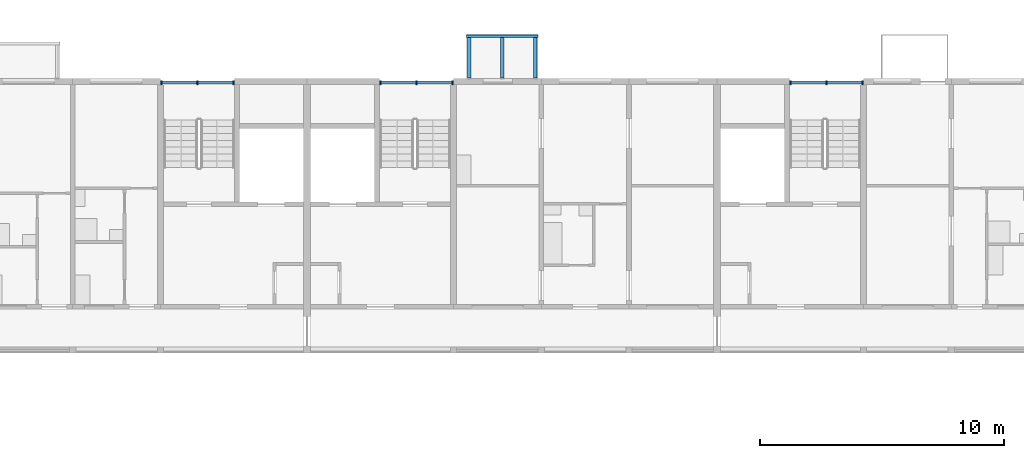
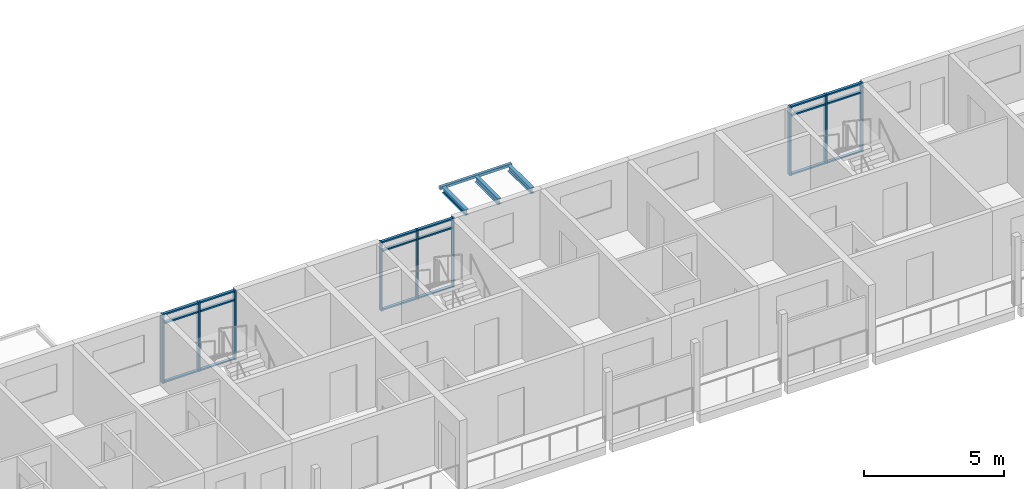
# One storey, part 10 of 99: 27 members, 4 beams, 3 elements without a shape of their own.
"""IFC4 building model written with IfcOpenShell, lengths in metres."""

from ifc_helpers import new_model, si_unit, direction, frame, origin, origin_2d, place, context, subcontext, project, spatial, rectangle, hollow_rectangle, i_section, extrude, material, material_profile, profile_set, type_object, element, aggregate, save


model = new_model("IFC4")

# Units and contexts
model_context = context("Model", 3, precision=1e-05, world=origin(), true_north=direction((0.0, 1.0)))
body_context = subcontext(model_context, "Body", "Model", "MODEL_VIEW")
ifc_project = project(units=[si_unit("LENGTHUNIT", "METRE"), si_unit("AREAUNIT", "SQUARE_METRE"), si_unit("VOLUMEUNIT", "CUBIC_METRE"), si_unit("PLANEANGLEUNIT", "RADIAN"), si_unit("MASSUNIT", "GRAM", prefix="KILO")], contexts=[model_context])

# Site, building, storey
site_placement = place(None, origin())
site = spatial("IfcSite", under=ifc_project, at=site_placement, CompositionType="ELEMENT")
building_placement = place(site_placement, origin())
building = spatial("IfcBuilding", under=site, at=building_placement, Name="Ridgestep Commons", CompositionType="ELEMENT")
storey_placement = place(building_placement, frame((0.0, 0.0, 15.0)))
storey = spatial("IfcBuildingStorey", under=building, at=storey_placement, Name="L05", CompositionType="ELEMENT", Elevation=15.0)

# Curtain wall, members
ifc_material_1 = material(Name="Aluminium 6063-T6 and glass", Category="aluminium")
curtain_wall_type = type_object("IfcCurtainWallType", Name="Curtain wall stair strip", PredefinedType="NOTDEFINED", material=ifc_material_1)
curtain_wall_1_placement = place(storey_placement, origin())
curtain_wall_1 = element("IfcCurtainWall", 1, at=curtain_wall_1_placement, inside=storey, type_object=curtain_wall_type, Name="Curtain wall B1C level 05", PredefinedType="NOTDEFINED")
ifc_material_2 = material(Name="Aluminium 6063-T6", Category="aluminium")
ifc_material_profile_1 = material_profile(ifc_material_2, rectangle(XDim=0.159912109375, YDim=0.06005859375, at=origin_2d()), Name="Mullion 60 x 160")
ifc_profile_set_1 = profile_set([ifc_material_profile_1], Name="Aluminium 6063-T6")
member_type_1 = type_object("IfcMemberType", Name="Mullion 60 x 160", PredefinedType="MULLION", material=ifc_profile_set_1)
member_1_placement = place(storey_placement, frame((22.830078125, 77.080078125, 0.0), z_axis=(0.0, 0.0, 1.0), x_axis=(0.0, 1.0, 0.0)))
member_1 = element("IfcMember", 2, at=member_1_placement, type_object=member_type_1, Name="CW1 mullion 1", PredefinedType="MULLION", context=body_context, shape_type="SweptSolid", body=[
    extrude(rectangle(XDim=0.159912109375, YDim=0.06005859375, at=origin_2d()), origin(), (0.0, 0.0, 1.0), 3.0),
])
member_2_placement = place(storey_placement, frame((24.3125, 77.080078125, 0.0), z_axis=(0.0, 0.0, 1.0), x_axis=(0.0, 1.0, 0.0)))
member_2 = element("IfcMember", 3, at=member_2_placement, type_object=member_type_1, Name="CW1 mullion 2", PredefinedType="MULLION", context=body_context, shape_type="SweptSolid", body=[
    extrude(rectangle(XDim=0.159912109375, YDim=0.06005859375, at=origin_2d()), origin(), (0.0, 0.0, 1.0), 3.0),
])
member_3_placement = place(storey_placement, frame((25.794921875, 77.080078125, 0.0), z_axis=(0.0, 0.0, 1.0), x_axis=(0.0, 1.0, 0.0)))
member_3 = element("IfcMember", 4, at=member_3_placement, type_object=member_type_1, Name="CW1 mullion 3", PredefinedType="MULLION", context=body_context, shape_type="SweptSolid", body=[
    extrude(rectangle(XDim=0.159912109375, YDim=0.06005859375, at=origin_2d()), origin(), (0.0, 0.0, 1.0), 3.0),
])

curtain_wall_2_placement = place(storey_placement, origin())
curtain_wall_2 = element("IfcCurtainWall", 5, at=curtain_wall_2_placement, inside=storey, type_object=curtain_wall_type, Name="Curtain wall B2C level 05", PredefinedType="NOTDEFINED")
member_4_placement = place(storey_placement, frame((31.804931640625, 77.080078125, 0.0), z_axis=(0.0, 0.0, 1.0), x_axis=(0.0, 1.0, 0.0)))
member_4 = element("IfcMember", 6, at=member_4_placement, type_object=member_type_1, Name="CW1 mullion 1", PredefinedType="MULLION", context=body_context, shape_type="SweptSolid", body=[
    extrude(rectangle(XDim=0.159912109375, YDim=0.06005859375, at=origin_2d()), origin(), (0.0, 0.0, 1.0), 3.0),
])
member_5_placement = place(storey_placement, frame((33.28759765625, 77.080078125, 0.0), z_axis=(0.0, 0.0, 1.0), x_axis=(0.0, 1.0, 0.0)))
member_5 = element("IfcMember", 7, at=member_5_placement, type_object=member_type_1, Name="CW1 mullion 2", PredefinedType="MULLION", context=body_context, shape_type="SweptSolid", body=[
    extrude(rectangle(XDim=0.159912109375, YDim=0.06005859375, at=origin_2d()), origin(), (0.0, 0.0, 1.0), 3.0),
])
member_6_placement = place(storey_placement, frame((34.77001953125, 77.080078125, 0.0), z_axis=(0.0, 0.0, 1.0), x_axis=(0.0, 1.0, 0.0)))
member_6 = element("IfcMember", 8, at=member_6_placement, type_object=member_type_1, Name="CW1 mullion 3", PredefinedType="MULLION", context=body_context, shape_type="SweptSolid", body=[
    extrude(rectangle(XDim=0.159912109375, YDim=0.06005859375, at=origin_2d()), origin(), (0.0, 0.0, 1.0), 3.0),
])

curtain_wall_3_placement = place(storey_placement, origin())
curtain_wall_3 = element("IfcCurtainWall", 9, at=curtain_wall_3_placement, inside=storey, type_object=curtain_wall_type, Name="Curtain wall B3C level 05", PredefinedType="NOTDEFINED")
member_7_placement = place(storey_placement, frame((48.60498046875, 77.080078125, 0.0), z_axis=(0.0, 0.0, 1.0), x_axis=(0.0, 1.0, 0.0)))
member_7 = element("IfcMember", 10, at=member_7_placement, type_object=member_type_1, Name="CW1 mullion 1", PredefinedType="MULLION", context=body_context, shape_type="SweptSolid", body=[
    extrude(rectangle(XDim=0.159912109375, YDim=0.06005859375, at=origin_2d()), origin(), (0.0, 0.0, 1.0), 3.0),
])
member_8_placement = place(storey_placement, frame((50.08740234375, 77.080078125, 0.0), z_axis=(0.0, 0.0, 1.0), x_axis=(0.0, 1.0, 0.0)))
member_8 = element("IfcMember", 11, at=member_8_placement, type_object=member_type_1, Name="CW1 mullion 2", PredefinedType="MULLION", context=body_context, shape_type="SweptSolid", body=[
    extrude(rectangle(XDim=0.159912109375, YDim=0.06005859375, at=origin_2d()), origin(), (0.0, 0.0, 1.0), 3.0),
])
member_9_placement = place(storey_placement, frame((51.570068359375, 77.080078125, 0.0), z_axis=(0.0, 0.0, 1.0), x_axis=(0.0, 1.0, 0.0)))
member_9 = element("IfcMember", 12, at=member_9_placement, type_object=member_type_1, Name="CW1 mullion 3", PredefinedType="MULLION", context=body_context, shape_type="SweptSolid", body=[
    extrude(rectangle(XDim=0.159912109375, YDim=0.06005859375, at=origin_2d()), origin(), (0.0, 0.0, 1.0), 3.0),
])

# Member
ifc_material_3 = material(Name="Aluminium 6063-T6", Category="aluminium")
ifc_material_profile_2 = material_profile(ifc_material_3, rectangle(XDim=0.1201171875, YDim=0.06005859375, at=origin_2d()), Name="Transom 60 x 120")
ifc_profile_set_2 = profile_set([ifc_material_profile_2], Name="Aluminium 6063-T6")
member_type_2 = type_object("IfcMemberType", Name="Transom 60 x 120", PredefinedType="USERDEFINED", material=ifc_profile_set_2)
member_10_placement = place(storey_placement, frame((22.860107421875, 77.080078125, 0.030029296875), z_axis=(1.0, 0.0, 0.0), x_axis=(0.0, 1.0, 0.0)))
member_10 = element("IfcMember", 13, at=member_10_placement, type_object=member_type_2, Name="CW1 transom 1.1", ObjectType="TRANSOM", PredefinedType="USERDEFINED", context=body_context, shape_type="SweptSolid", body=[
    extrude(rectangle(XDim=0.1201171875, YDim=0.06005859375, at=origin_2d()), origin(), (0.0, 0.0, 1.0), 1.42236328125),
])

member_11_placement = place(storey_placement, frame((22.860107421875, 77.080078125, 2.590087890625), z_axis=(1.0, 0.0, 0.0), x_axis=(0.0, 1.0, 0.0)))
member_11 = element("IfcMember", 14, at=member_11_placement, type_object=member_type_2, Name="CW1 transom 1.2", ObjectType="TRANSOM", PredefinedType="USERDEFINED", context=body_context, shape_type="SweptSolid", body=[
    extrude(rectangle(XDim=0.1201171875, YDim=0.06005859375, at=origin_2d()), origin(), (0.0, 0.0, 1.0), 1.42236328125),
])

member_12_placement = place(storey_placement, frame((22.860107421875, 77.080078125, 2.969970703125), z_axis=(1.0, 0.0, 0.0), x_axis=(0.0, 1.0, 0.0)))
member_12 = element("IfcMember", 15, at=member_12_placement, type_object=member_type_2, Name="CW1 transom 1.3", ObjectType="TRANSOM", PredefinedType="USERDEFINED", context=body_context, shape_type="SweptSolid", body=[
    extrude(rectangle(XDim=0.1201171875, YDim=0.06005859375, at=origin_2d()), origin(), (0.0, 0.0, 1.0), 1.42236328125),
])

member_13_placement = place(storey_placement, frame((24.342529296875, 77.080078125, 0.030029296875), z_axis=(1.0, 0.0, 0.0), x_axis=(0.0, 1.0, 0.0)))
member_13 = element("IfcMember", 16, at=member_13_placement, type_object=member_type_2, Name="CW1 transom 2.1", ObjectType="TRANSOM", PredefinedType="USERDEFINED", context=body_context, shape_type="SweptSolid", body=[
    extrude(rectangle(XDim=0.1201171875, YDim=0.06005859375, at=origin_2d()), origin(), (0.0, 0.0, 1.0), 1.42236328125),
])

member_14_placement = place(storey_placement, frame((24.342529296875, 77.080078125, 2.590087890625), z_axis=(1.0, 0.0, 0.0), x_axis=(0.0, 1.0, 0.0)))
member_14 = element("IfcMember", 17, at=member_14_placement, type_object=member_type_2, Name="CW1 transom 2.2", ObjectType="TRANSOM", PredefinedType="USERDEFINED", context=body_context, shape_type="SweptSolid", body=[
    extrude(rectangle(XDim=0.1201171875, YDim=0.06005859375, at=origin_2d()), origin(), (0.0, 0.0, 1.0), 1.42236328125),
])

member_15_placement = place(storey_placement, frame((24.342529296875, 77.080078125, 2.969970703125), z_axis=(1.0, 0.0, 0.0), x_axis=(0.0, 1.0, 0.0)))
member_15 = element("IfcMember", 18, at=member_15_placement, type_object=member_type_2, Name="CW1 transom 2.3", ObjectType="TRANSOM", PredefinedType="USERDEFINED", context=body_context, shape_type="SweptSolid", body=[
    extrude(rectangle(XDim=0.1201171875, YDim=0.06005859375, at=origin_2d()), origin(), (0.0, 0.0, 1.0), 1.42236328125),
])

aggregate(curtain_wall_1, [member_1, member_2, member_3, member_10, member_11, member_12, member_13, member_14, member_15])

member_16_placement = place(storey_placement, frame((31.8349609375, 77.080078125, 0.030029296875), z_axis=(1.0, 0.0, 0.0), x_axis=(0.0, 1.0, 0.0)))
member_16 = element("IfcMember", 19, at=member_16_placement, type_object=member_type_2, Name="CW1 transom 1.1", ObjectType="TRANSOM", PredefinedType="USERDEFINED", context=body_context, shape_type="SweptSolid", body=[
    extrude(rectangle(XDim=0.1201171875, YDim=0.06005859375, at=origin_2d()), origin(), (0.0, 0.0, 1.0), 1.422607421875),
])

member_17_placement = place(storey_placement, frame((31.8349609375, 77.080078125, 2.590087890625), z_axis=(1.0, 0.0, 0.0), x_axis=(0.0, 1.0, 0.0)))
member_17 = element("IfcMember", 20, at=member_17_placement, type_object=member_type_2, Name="CW1 transom 1.2", ObjectType="TRANSOM", PredefinedType="USERDEFINED", context=body_context, shape_type="SweptSolid", body=[
    extrude(rectangle(XDim=0.1201171875, YDim=0.06005859375, at=origin_2d()), origin(), (0.0, 0.0, 1.0), 1.422607421875),
])

member_18_placement = place(storey_placement, frame((31.8349609375, 77.080078125, 2.969970703125), z_axis=(1.0, 0.0, 0.0), x_axis=(0.0, 1.0, 0.0)))
member_18 = element("IfcMember", 21, at=member_18_placement, type_object=member_type_2, Name="CW1 transom 1.3", ObjectType="TRANSOM", PredefinedType="USERDEFINED", context=body_context, shape_type="SweptSolid", body=[
    extrude(rectangle(XDim=0.1201171875, YDim=0.06005859375, at=origin_2d()), origin(), (0.0, 0.0, 1.0), 1.422607421875),
])

member_19_placement = place(storey_placement, frame((33.3173828125, 77.080078125, 0.030029296875), z_axis=(1.0, 0.0, 0.0), x_axis=(0.0, 1.0, 0.0)))
member_19 = element("IfcMember", 22, at=member_19_placement, type_object=member_type_2, Name="CW1 transom 2.1", ObjectType="TRANSOM", PredefinedType="USERDEFINED", context=body_context, shape_type="SweptSolid", body=[
    extrude(rectangle(XDim=0.1201171875, YDim=0.06005859375, at=origin_2d()), origin(), (0.0, 0.0, 1.0), 1.422607421875),
])

member_20_placement = place(storey_placement, frame((33.3173828125, 77.080078125, 2.590087890625), z_axis=(1.0, 0.0, 0.0), x_axis=(0.0, 1.0, 0.0)))
member_20 = element("IfcMember", 23, at=member_20_placement, type_object=member_type_2, Name="CW1 transom 2.2", ObjectType="TRANSOM", PredefinedType="USERDEFINED", context=body_context, shape_type="SweptSolid", body=[
    extrude(rectangle(XDim=0.1201171875, YDim=0.06005859375, at=origin_2d()), origin(), (0.0, 0.0, 1.0), 1.422607421875),
])

member_21_placement = place(storey_placement, frame((33.3173828125, 77.080078125, 2.969970703125), z_axis=(1.0, 0.0, 0.0), x_axis=(0.0, 1.0, 0.0)))
member_21 = element("IfcMember", 24, at=member_21_placement, type_object=member_type_2, Name="CW1 transom 2.3", ObjectType="TRANSOM", PredefinedType="USERDEFINED", context=body_context, shape_type="SweptSolid", body=[
    extrude(rectangle(XDim=0.1201171875, YDim=0.06005859375, at=origin_2d()), origin(), (0.0, 0.0, 1.0), 1.422607421875),
])

aggregate(curtain_wall_2, [member_4, member_5, member_6, member_16, member_17, member_18, member_19, member_20, member_21])

member_22_placement = place(storey_placement, frame((48.635009765625, 77.080078125, 0.030029296875), z_axis=(1.0, 0.0, 0.0), x_axis=(0.0, 1.0, 0.0)))
member_22 = element("IfcMember", 25, at=member_22_placement, type_object=member_type_2, Name="CW1 transom 1.1", ObjectType="TRANSOM", PredefinedType="USERDEFINED", context=body_context, shape_type="SweptSolid", body=[
    extrude(rectangle(XDim=0.1201171875, YDim=0.06005859375, at=origin_2d()), origin(), (0.0, 0.0, 1.0), 1.422607421875),
])

member_23_placement = place(storey_placement, frame((48.635009765625, 77.080078125, 2.590087890625), z_axis=(1.0, 0.0, 0.0), x_axis=(0.0, 1.0, 0.0)))
member_23 = element("IfcMember", 26, at=member_23_placement, type_object=member_type_2, Name="CW1 transom 1.2", ObjectType="TRANSOM", PredefinedType="USERDEFINED", context=body_context, shape_type="SweptSolid", body=[
    extrude(rectangle(XDim=0.1201171875, YDim=0.06005859375, at=origin_2d()), origin(), (0.0, 0.0, 1.0), 1.422607421875),
])

member_24_placement = place(storey_placement, frame((48.635009765625, 77.080078125, 2.969970703125), z_axis=(1.0, 0.0, 0.0), x_axis=(0.0, 1.0, 0.0)))
member_24 = element("IfcMember", 27, at=member_24_placement, type_object=member_type_2, Name="CW1 transom 1.3", ObjectType="TRANSOM", PredefinedType="USERDEFINED", context=body_context, shape_type="SweptSolid", body=[
    extrude(rectangle(XDim=0.1201171875, YDim=0.06005859375, at=origin_2d()), origin(), (0.0, 0.0, 1.0), 1.422607421875),
])

member_25_placement = place(storey_placement, frame((50.117431640625, 77.080078125, 0.030029296875), z_axis=(1.0, 0.0, 0.0), x_axis=(0.0, 1.0, 0.0)))
member_25 = element("IfcMember", 28, at=member_25_placement, type_object=member_type_2, Name="CW1 transom 2.1", ObjectType="TRANSOM", PredefinedType="USERDEFINED", context=body_context, shape_type="SweptSolid", body=[
    extrude(rectangle(XDim=0.1201171875, YDim=0.06005859375, at=origin_2d()), origin(), (0.0, 0.0, 1.0), 1.422607421875),
])

member_26_placement = place(storey_placement, frame((50.117431640625, 77.080078125, 2.590087890625), z_axis=(1.0, 0.0, 0.0), x_axis=(0.0, 1.0, 0.0)))
member_26 = element("IfcMember", 29, at=member_26_placement, type_object=member_type_2, Name="CW1 transom 2.2", ObjectType="TRANSOM", PredefinedType="USERDEFINED", context=body_context, shape_type="SweptSolid", body=[
    extrude(rectangle(XDim=0.1201171875, YDim=0.06005859375, at=origin_2d()), origin(), (0.0, 0.0, 1.0), 1.422607421875),
])

member_27_placement = place(storey_placement, frame((50.117431640625, 77.080078125, 2.969970703125), z_axis=(1.0, 0.0, 0.0), x_axis=(0.0, 1.0, 0.0)))
member_27 = element("IfcMember", 30, at=member_27_placement, type_object=member_type_2, Name="CW1 transom 2.3", ObjectType="TRANSOM", PredefinedType="USERDEFINED", context=body_context, shape_type="SweptSolid", body=[
    extrude(rectangle(XDim=0.1201171875, YDim=0.06005859375, at=origin_2d()), origin(), (0.0, 0.0, 1.0), 1.422607421875),
])

aggregate(curtain_wall_3, [member_7, member_8, member_9, member_22, member_23, member_24, member_25, member_26, member_27])

# Beams
ifc_material_4 = material(Name="Weathering steel S355J2W", Category="steel")
ifc_material_profile_3 = material_profile(ifc_material_4, i_section(OverallWidth=0.14599609375, OverallDepth=0.25146484375, WebThickness=0.006103515625, FlangeThickness=0.008544921875, FilletRadius=0.007568359375, at=origin_2d()), Name="UB 254x146x31")
ifc_profile_set_3 = profile_set([ifc_material_profile_3], Name="Weathering steel S355J2W")
beam_type_1 = type_object("IfcBeamType", Name="Tray arm UB 254x146x31", PredefinedType="BEAM", material=ifc_profile_set_3)
for number, where, z_axis, x_axis, name in (
    (31, (35.449951171875, 77.264892578125, 2.8642578125), (0.0, 1.0, 0.0), (-1.0, 0.0, 0.0), "Tray arm B2T3-06.1"),
    (32, (36.800048828125, 77.264892578125, 2.8642578125), (0.0, 1.0, 0.0), (-1.0, 0.0, 0.0), "Tray arm B2T3-06.2"),
    (33, (38.14990234375, 77.264892578125, 2.8642578125), (0.0, 1.0, 0.0), (-1.0, 0.0, 0.0), "Tray arm B2T3-06.3"),
):
    element("IfcBeam", number, at=place(storey_placement, frame(where, z_axis=z_axis, x_axis=x_axis)), inside=storey, type_object=beam_type_1, Name=name, PredefinedType="BEAM", context=body_context, shape_type="SweptSolid", body=[
        extrude(i_section(OverallWidth=0.14599609375, OverallDepth=0.25146484375, WebThickness=0.006103515625, FlangeThickness=0.008544921875, FilletRadius=0.007568359375, at=origin_2d()), origin(), (0.0, 0.0, 1.0), 1.6650390625),
    ])
ifc_material_5 = material(Name="Weathering steel S355J2W", Category="steel")
ifc_material_profile_4 = material_profile(ifc_material_5, hollow_rectangle(XDim=0.1201171875, YDim=0.1201171875, WallThickness=0.00634765625, InnerFilletRadius=0.00634765625, OuterFilletRadius=0.009521484375, at=origin_2d()), Name="SHS 120x120x6.3")
ifc_profile_set_4 = profile_set([ifc_material_profile_4], Name="Weathering steel S355J2W")
beam_type_2 = type_object("IfcBeamType", Name="Tray edge member SHS 120x120x6.3", PredefinedType="BEAM", material=ifc_profile_set_4)
beam_placement = place(storey_placement, frame((35.330078125, 78.989990234375, 2.929931640625), z_axis=(1.0, 0.0, 0.0), x_axis=(0.0, 0.0, 1.0)))
element("IfcBeam", 34, at=beam_placement, inside=storey, type_object=beam_type_2, Name="Tray edge member B2T3-06", PredefinedType="BEAM", context=body_context, shape_type="SweptSolid", body=[
    extrude(hollow_rectangle(XDim=0.1201171875, YDim=0.1201171875, WallThickness=0.00634765625, InnerFilletRadius=0.00634765625, OuterFilletRadius=0.009521484375, at=origin_2d()), origin(), (0.0, 0.0, 1.0), 2.93994140625),
])

save(model, "model.ifc")
